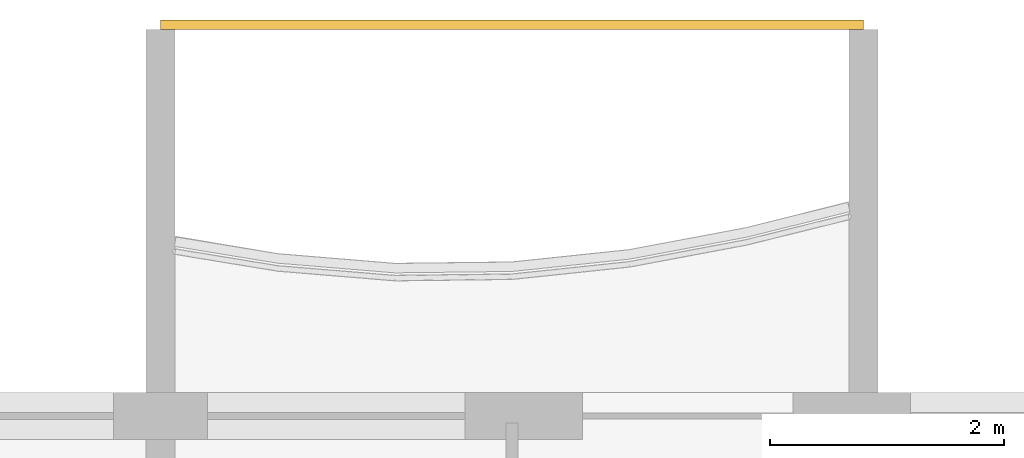
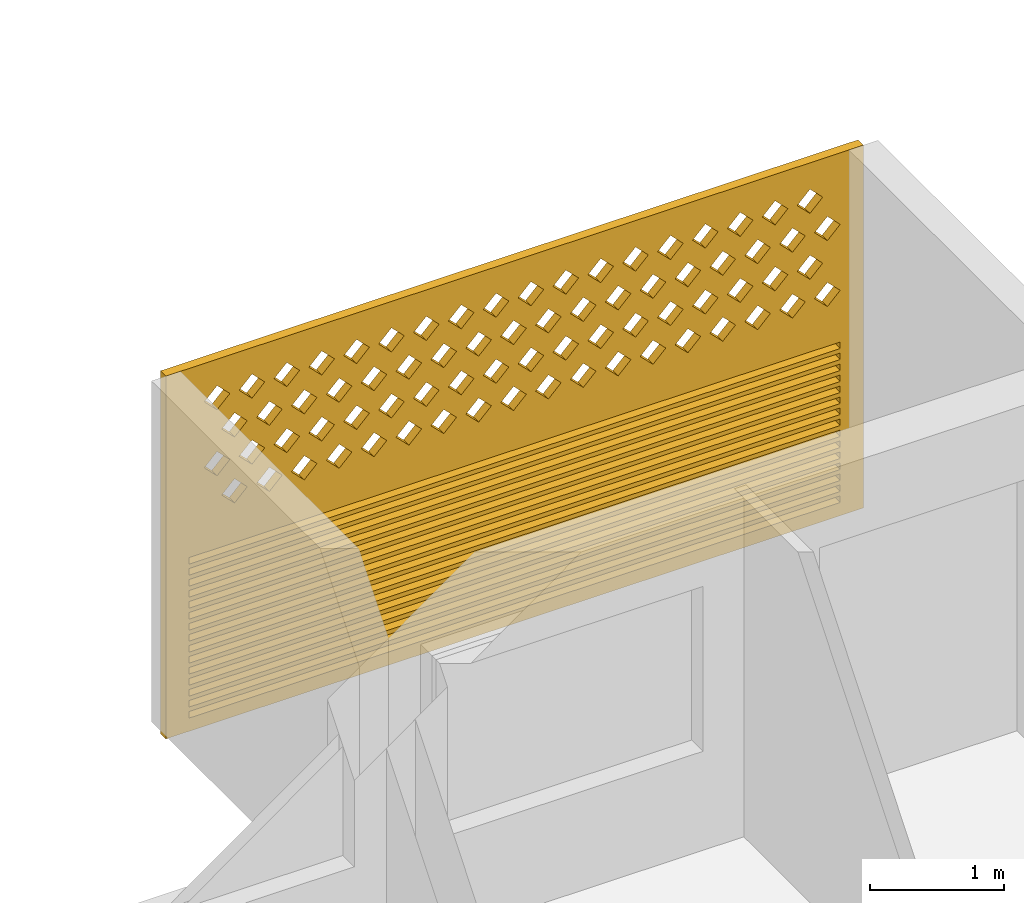
# One storey, part 20 of 26: 1 covering.
"""IFC4 building model written with IfcOpenShell, lengths in metres."""

from ifc_helpers import new_model, si_unit, direction, frame, origin, place, context, subcontext, project, spatial, polyline, outline, extrude, source, transform, mapped, material, material_profile, profile_set, type_object, element, save


model = new_model("IFC4")

# Units and contexts
model_context = context("Model", 3, precision=1e-05, world=origin(), true_north=direction((0.0, 1.0)))
body_context = subcontext(model_context, "Body", "Model", "MODEL_VIEW")
ifc_project = project(units=[si_unit("LENGTHUNIT", "METRE"), si_unit("AREAUNIT", "SQUARE_METRE"), si_unit("VOLUMEUNIT", "CUBIC_METRE"), si_unit("PLANEANGLEUNIT", "RADIAN"), si_unit("MASSUNIT", "GRAM", prefix="KILO")], contexts=[model_context])

# Site, building, storey
site_placement = place(None, origin())
site = spatial("IfcSite", under=ifc_project, at=site_placement, CompositionType="ELEMENT")
building_placement = place(site_placement, origin())
building = spatial("IfcBuilding", under=site, at=building_placement, Name="Poui Terraces", CompositionType="ELEMENT")
storey_placement = place(building_placement, frame((0.0, 0.0, 241.199951171875)))
storey = spatial("IfcBuildingStorey", under=building, at=storey_placement, Name="L67", CompositionType="ELEMENT", Elevation=241.199951171875)

# Covering
ifc_material = material(Name="Terracotta screen", Category="masonry")
ifc_material_profile = material_profile(ifc_material, outline(polyline([(-3.0, -1.64990234375), (3.0, -1.64990234375), (3.0, 1.64990234375), (-3.0, 1.64990234375), (-3.0, -1.64990234375)]), holes=[polyline([(-2.800048828125, 0.39990234375), (-2.68994140625, 0.2900390625), (-2.580078125, 0.39990234375), (-2.68994140625, 0.510009765625), (-2.800048828125, 0.39990234375)]), polyline([(-2.5, 0.39990234375), (-2.389892578125, 0.2900390625), (-2.280029296875, 0.39990234375), (-2.389892578125, 0.510009765625), (-2.5, 0.39990234375)]), polyline([(-2.199951171875, 0.39990234375), (-2.090087890625, 0.2900390625), (-1.97998046875, 0.39990234375), (-2.090087890625, 0.510009765625), (-2.199951171875, 0.39990234375)]), polyline([(-1.89990234375, 0.39990234375), (-1.7900390625, 0.2900390625), (-1.679931640625, 0.39990234375), (-1.7900390625, 0.510009765625), (-1.89990234375, 0.39990234375)]), polyline([(-1.60009765625, 0.39990234375), (-1.489990234375, 0.2900390625), (-1.3798828125, 0.39990234375), (-1.489990234375, 0.510009765625), (-1.60009765625, 0.39990234375)]), polyline([(-1.300048828125, 0.39990234375), (-1.18994140625, 0.2900390625), (-1.080078125, 0.39990234375), (-1.18994140625, 0.510009765625), (-1.300048828125, 0.39990234375)]), polyline([(-1.0, 0.39990234375), (-0.889892578125, 0.2900390625), (-0.780029296875, 0.39990234375), (-0.889892578125, 0.510009765625), (-1.0, 0.39990234375)]), polyline([(-0.699951171875, 0.39990234375), (-0.590087890625, 0.2900390625), (-0.47998046875, 0.39990234375), (-0.590087890625, 0.510009765625), (-0.699951171875, 0.39990234375)]), polyline([(-0.39990234375, 0.39990234375), (-0.2900390625, 0.2900390625), (-0.179931640625, 0.39990234375), (-0.2900390625, 0.510009765625), (-0.39990234375, 0.39990234375)]), polyline([(-0.10009765625, 0.39990234375), (0.010009765625, 0.2900390625), (0.1201171875, 0.39990234375), (0.010009765625, 0.510009765625), (-0.10009765625, 0.39990234375)]), polyline([(0.199951171875, 0.39990234375), (0.31005859375, 0.2900390625), (0.419921875, 0.39990234375), (0.31005859375, 0.510009765625), (0.199951171875, 0.39990234375)]), polyline([(0.5, 0.39990234375), (0.610107421875, 0.2900390625), (0.719970703125, 0.39990234375), (0.610107421875, 0.510009765625), (0.5, 0.39990234375)]), polyline([(0.800048828125, 0.39990234375), (0.909912109375, 0.2900390625), (1.02001953125, 0.39990234375), (0.909912109375, 0.510009765625), (0.800048828125, 0.39990234375)]), polyline([(1.10009765625, 0.39990234375), (1.2099609375, 0.2900390625), (1.320068359375, 0.39990234375), (1.2099609375, 0.510009765625), (1.10009765625, 0.39990234375)]), polyline([(1.39990234375, 0.39990234375), (1.510009765625, 0.2900390625), (1.6201171875, 0.39990234375), (1.510009765625, 0.510009765625), (1.39990234375, 0.39990234375)]), polyline([(1.699951171875, 0.39990234375), (1.81005859375, 0.2900390625), (1.919921875, 0.39990234375), (1.81005859375, 0.510009765625), (1.699951171875, 0.39990234375)]), polyline([(2.0, 0.39990234375), (2.110107421875, 0.2900390625), (2.219970703125, 0.39990234375), (2.110107421875, 0.510009765625), (2.0, 0.39990234375)]), polyline([(2.300048828125, 0.39990234375), (2.409912109375, 0.2900390625), (2.52001953125, 0.39990234375), (2.409912109375, 0.510009765625), (2.300048828125, 0.39990234375)]), polyline([(-2.64990234375, 0.699951171875), (-2.5400390625, 0.590087890625), (-2.429931640625, 0.699951171875), (-2.5400390625, 0.81005859375), (-2.64990234375, 0.699951171875)]), polyline([(-2.35009765625, 0.699951171875), (-2.239990234375, 0.590087890625), (-2.1298828125, 0.699951171875), (-2.239990234375, 0.81005859375), (-2.35009765625, 0.699951171875)]), polyline([(-2.050048828125, 0.699951171875), (-1.93994140625, 0.590087890625), (-1.830078125, 0.699951171875), (-1.93994140625, 0.81005859375), (-2.050048828125, 0.699951171875)]), polyline([(-1.75, 0.699951171875), (-1.639892578125, 0.590087890625), (-1.530029296875, 0.699951171875), (-1.639892578125, 0.81005859375), (-1.75, 0.699951171875)]), polyline([(-1.449951171875, 0.699951171875), (-1.340087890625, 0.590087890625), (-1.22998046875, 0.699951171875), (-1.340087890625, 0.81005859375), (-1.449951171875, 0.699951171875)]), polyline([(-1.14990234375, 0.699951171875), (-1.0400390625, 0.590087890625), (-0.929931640625, 0.699951171875), (-1.0400390625, 0.81005859375), (-1.14990234375, 0.699951171875)]), polyline([(-0.85009765625, 0.699951171875), (-0.739990234375, 0.590087890625), (-0.6298828125, 0.699951171875), (-0.739990234375, 0.81005859375), (-0.85009765625, 0.699951171875)]), polyline([(-0.550048828125, 0.699951171875), (-0.43994140625, 0.590087890625), (-0.330078125, 0.699951171875), (-0.43994140625, 0.81005859375), (-0.550048828125, 0.699951171875)]), polyline([(-0.25, 0.699951171875), (-0.139892578125, 0.590087890625), (-0.030029296875, 0.699951171875), (-0.139892578125, 0.81005859375), (-0.25, 0.699951171875)]), polyline([(0.050048828125, 0.699951171875), (0.159912109375, 0.590087890625), (0.27001953125, 0.699951171875), (0.159912109375, 0.81005859375), (0.050048828125, 0.699951171875)]), polyline([(0.35009765625, 0.699951171875), (0.4599609375, 0.590087890625), (0.570068359375, 0.699951171875), (0.4599609375, 0.81005859375), (0.35009765625, 0.699951171875)]), polyline([(0.64990234375, 0.699951171875), (0.760009765625, 0.590087890625), (0.8701171875, 0.699951171875), (0.760009765625, 0.81005859375), (0.64990234375, 0.699951171875)]), polyline([(0.949951171875, 0.699951171875), (1.06005859375, 0.590087890625), (1.169921875, 0.699951171875), (1.06005859375, 0.81005859375), (0.949951171875, 0.699951171875)]), polyline([(1.25, 0.699951171875), (1.360107421875, 0.590087890625), (1.469970703125, 0.699951171875), (1.360107421875, 0.81005859375), (1.25, 0.699951171875)]), polyline([(1.550048828125, 0.699951171875), (1.659912109375, 0.590087890625), (1.77001953125, 0.699951171875), (1.659912109375, 0.81005859375), (1.550048828125, 0.699951171875)]), polyline([(1.85009765625, 0.699951171875), (1.9599609375, 0.590087890625), (2.070068359375, 0.699951171875), (1.9599609375, 0.81005859375), (1.85009765625, 0.699951171875)]), polyline([(2.14990234375, 0.699951171875), (2.260009765625, 0.590087890625), (2.3701171875, 0.699951171875), (2.260009765625, 0.81005859375), (2.14990234375, 0.699951171875)]), polyline([(2.449951171875, 0.699951171875), (2.56005859375, 0.590087890625), (2.669921875, 0.699951171875), (2.56005859375, 0.81005859375), (2.449951171875, 0.699951171875)]), polyline([(-2.800048828125, 1.0), (-2.68994140625, 0.889892578125), (-2.580078125, 1.0), (-2.68994140625, 1.110107421875), (-2.800048828125, 1.0)]), polyline([(-2.5, 1.0), (-2.389892578125, 0.889892578125), (-2.280029296875, 1.0), (-2.389892578125, 1.110107421875), (-2.5, 1.0)]), polyline([(-2.199951171875, 1.0), (-2.090087890625, 0.889892578125), (-1.97998046875, 1.0), (-2.090087890625, 1.110107421875), (-2.199951171875, 1.0)]), polyline([(-1.89990234375, 1.0), (-1.7900390625, 0.889892578125), (-1.679931640625, 1.0), (-1.7900390625, 1.110107421875), (-1.89990234375, 1.0)]), polyline([(-1.60009765625, 1.0), (-1.489990234375, 0.889892578125), (-1.3798828125, 1.0), (-1.489990234375, 1.110107421875), (-1.60009765625, 1.0)]), polyline([(-1.300048828125, 1.0), (-1.18994140625, 0.889892578125), (-1.080078125, 1.0), (-1.18994140625, 1.110107421875), (-1.300048828125, 1.0)]), polyline([(-1.0, 1.0), (-0.889892578125, 0.889892578125), (-0.780029296875, 1.0), (-0.889892578125, 1.110107421875), (-1.0, 1.0)]), polyline([(-0.699951171875, 1.0), (-0.590087890625, 0.889892578125), (-0.47998046875, 1.0), (-0.590087890625, 1.110107421875), (-0.699951171875, 1.0)]), polyline([(-0.39990234375, 1.0), (-0.2900390625, 0.889892578125), (-0.179931640625, 1.0), (-0.2900390625, 1.110107421875), (-0.39990234375, 1.0)]), polyline([(-0.10009765625, 1.0), (0.010009765625, 0.889892578125), (0.1201171875, 1.0), (0.010009765625, 1.110107421875), (-0.10009765625, 1.0)]), polyline([(0.199951171875, 1.0), (0.31005859375, 0.889892578125), (0.419921875, 1.0), (0.31005859375, 1.110107421875), (0.199951171875, 1.0)]), polyline([(0.5, 1.0), (0.610107421875, 0.889892578125), (0.719970703125, 1.0), (0.610107421875, 1.110107421875), (0.5, 1.0)]), polyline([(0.800048828125, 1.0), (0.909912109375, 0.889892578125), (1.02001953125, 1.0), (0.909912109375, 1.110107421875), (0.800048828125, 1.0)]), polyline([(1.10009765625, 1.0), (1.2099609375, 0.889892578125), (1.320068359375, 1.0), (1.2099609375, 1.110107421875), (1.10009765625, 1.0)]), polyline([(1.39990234375, 1.0), (1.510009765625, 0.889892578125), (1.6201171875, 1.0), (1.510009765625, 1.110107421875), (1.39990234375, 1.0)]), polyline([(1.699951171875, 1.0), (1.81005859375, 0.889892578125), (1.919921875, 1.0), (1.81005859375, 1.110107421875), (1.699951171875, 1.0)]), polyline([(2.0, 1.0), (2.110107421875, 0.889892578125), (2.219970703125, 1.0), (2.110107421875, 1.110107421875), (2.0, 1.0)]), polyline([(2.300048828125, 1.0), (2.409912109375, 0.889892578125), (2.52001953125, 1.0), (2.409912109375, 1.110107421875), (2.300048828125, 1.0)]), polyline([(-2.64990234375, 1.300048828125), (-2.5400390625, 1.18994140625), (-2.429931640625, 1.300048828125), (-2.5400390625, 1.409912109375), (-2.64990234375, 1.300048828125)]), polyline([(-2.35009765625, 1.300048828125), (-2.239990234375, 1.18994140625), (-2.1298828125, 1.300048828125), (-2.239990234375, 1.409912109375), (-2.35009765625, 1.300048828125)]), polyline([(-2.050048828125, 1.300048828125), (-1.93994140625, 1.18994140625), (-1.830078125, 1.300048828125), (-1.93994140625, 1.409912109375), (-2.050048828125, 1.300048828125)]), polyline([(-1.75, 1.300048828125), (-1.639892578125, 1.18994140625), (-1.530029296875, 1.300048828125), (-1.639892578125, 1.409912109375), (-1.75, 1.300048828125)]), polyline([(-1.449951171875, 1.300048828125), (-1.340087890625, 1.18994140625), (-1.22998046875, 1.300048828125), (-1.340087890625, 1.409912109375), (-1.449951171875, 1.300048828125)]), polyline([(-1.14990234375, 1.300048828125), (-1.0400390625, 1.18994140625), (-0.929931640625, 1.300048828125), (-1.0400390625, 1.409912109375), (-1.14990234375, 1.300048828125)]), polyline([(-0.85009765625, 1.300048828125), (-0.739990234375, 1.18994140625), (-0.6298828125, 1.300048828125), (-0.739990234375, 1.409912109375), (-0.85009765625, 1.300048828125)]), polyline([(-0.550048828125, 1.300048828125), (-0.43994140625, 1.18994140625), (-0.330078125, 1.300048828125), (-0.43994140625, 1.409912109375), (-0.550048828125, 1.300048828125)]), polyline([(-0.25, 1.300048828125), (-0.139892578125, 1.18994140625), (-0.030029296875, 1.300048828125), (-0.139892578125, 1.409912109375), (-0.25, 1.300048828125)]), polyline([(0.050048828125, 1.300048828125), (0.159912109375, 1.18994140625), (0.27001953125, 1.300048828125), (0.159912109375, 1.409912109375), (0.050048828125, 1.300048828125)]), polyline([(0.35009765625, 1.300048828125), (0.4599609375, 1.18994140625), (0.570068359375, 1.300048828125), (0.4599609375, 1.409912109375), (0.35009765625, 1.300048828125)]), polyline([(0.64990234375, 1.300048828125), (0.760009765625, 1.18994140625), (0.8701171875, 1.300048828125), (0.760009765625, 1.409912109375), (0.64990234375, 1.300048828125)]), polyline([(0.949951171875, 1.300048828125), (1.06005859375, 1.18994140625), (1.169921875, 1.300048828125), (1.06005859375, 1.409912109375), (0.949951171875, 1.300048828125)]), polyline([(1.25, 1.300048828125), (1.360107421875, 1.18994140625), (1.469970703125, 1.300048828125), (1.360107421875, 1.409912109375), (1.25, 1.300048828125)]), polyline([(1.550048828125, 1.300048828125), (1.659912109375, 1.18994140625), (1.77001953125, 1.300048828125), (1.659912109375, 1.409912109375), (1.550048828125, 1.300048828125)]), polyline([(1.85009765625, 1.300048828125), (1.9599609375, 1.18994140625), (2.070068359375, 1.300048828125), (1.9599609375, 1.409912109375), (1.85009765625, 1.300048828125)]), polyline([(2.14990234375, 1.300048828125), (2.260009765625, 1.18994140625), (2.3701171875, 1.300048828125), (2.260009765625, 1.409912109375), (2.14990234375, 1.300048828125)]), polyline([(2.449951171875, 1.300048828125), (2.56005859375, 1.18994140625), (2.669921875, 1.300048828125), (2.56005859375, 1.409912109375), (2.449951171875, 1.300048828125)]), polyline([(-2.800048828125, -1.530029296875), (2.800048828125, -1.530029296875), (2.800048828125, -1.469970703125), (-2.800048828125, -1.469970703125), (-2.800048828125, -1.530029296875)]), polyline([(-2.800048828125, -1.429931640625), (2.800048828125, -1.429931640625), (2.800048828125, -1.3701171875), (-2.800048828125, -1.3701171875), (-2.800048828125, -1.429931640625)]), polyline([(-2.800048828125, -1.330078125), (2.800048828125, -1.330078125), (2.800048828125, -1.27001953125), (-2.800048828125, -1.27001953125), (-2.800048828125, -1.330078125)]), polyline([(-2.800048828125, -1.22998046875), (2.800048828125, -1.22998046875), (2.800048828125, -1.169921875), (-2.800048828125, -1.169921875), (-2.800048828125, -1.22998046875)]), polyline([(-2.800048828125, -1.1298828125), (2.800048828125, -1.1298828125), (2.800048828125, -1.070068359375), (-2.800048828125, -1.070068359375), (-2.800048828125, -1.1298828125)]), polyline([(-2.800048828125, -1.030029296875), (2.800048828125, -1.030029296875), (2.800048828125, -0.969970703125), (-2.800048828125, -0.969970703125), (-2.800048828125, -1.030029296875)]), polyline([(-2.800048828125, -0.929931640625), (2.800048828125, -0.929931640625), (2.800048828125, -0.8701171875), (-2.800048828125, -0.8701171875), (-2.800048828125, -0.929931640625)]), polyline([(-2.800048828125, -0.830078125), (2.800048828125, -0.830078125), (2.800048828125, -0.77001953125), (-2.800048828125, -0.77001953125), (-2.800048828125, -0.830078125)]), polyline([(-2.800048828125, -0.72998046875), (2.800048828125, -0.72998046875), (2.800048828125, -0.669921875), (-2.800048828125, -0.669921875), (-2.800048828125, -0.72998046875)]), polyline([(-2.800048828125, -0.6298828125), (2.800048828125, -0.6298828125), (2.800048828125, -0.570068359375), (-2.800048828125, -0.570068359375), (-2.800048828125, -0.6298828125)]), polyline([(-2.800048828125, -0.530029296875), (2.800048828125, -0.530029296875), (2.800048828125, -0.469970703125), (-2.800048828125, -0.469970703125), (-2.800048828125, -0.530029296875)]), polyline([(-2.800048828125, -0.429931640625), (2.800048828125, -0.429931640625), (2.800048828125, -0.3701171875), (-2.800048828125, -0.3701171875), (-2.800048828125, -0.429931640625)]), polyline([(-2.800048828125, -0.330078125), (2.800048828125, -0.330078125), (2.800048828125, -0.27001953125), (-2.800048828125, -0.27001953125), (-2.800048828125, -0.330078125)]), polyline([(-2.800048828125, -0.22998046875), (2.800048828125, -0.22998046875), (2.800048828125, -0.169921875), (-2.800048828125, -0.169921875), (-2.800048828125, -0.22998046875)]), polyline([(-2.800048828125, -0.1298828125), (2.800048828125, -0.1298828125), (2.800048828125, -0.070068359375), (-2.800048828125, -0.070068359375), (-2.800048828125, -0.1298828125)])]), Name="TERRACOTTA SCREEN AND JALOUSIE LOUVRE 6000X3300")
ifc_profile_set = profile_set([ifc_material_profile], Name="Terracotta screen")
covering_type = type_object("IfcCoveringType", Name="TERRACOTTA SCREEN AND JALOUSIE LOUVRE 6000X3300", PredefinedType="CLADDING", material=ifc_profile_set)
shared_shape = source(origin(), body_context, "Body", "SweptSolid", [
    extrude(outline(polyline([(-3.0, -1.64990234375), (3.0, -1.64990234375), (3.0, 1.64990234375), (-3.0, 1.64990234375), (-3.0, -1.64990234375)]), holes=[polyline([(-2.800048828125, 0.39990234375), (-2.68994140625, 0.2900390625), (-2.580078125, 0.39990234375), (-2.68994140625, 0.510009765625), (-2.800048828125, 0.39990234375)]), polyline([(-2.5, 0.39990234375), (-2.389892578125, 0.2900390625), (-2.280029296875, 0.39990234375), (-2.389892578125, 0.510009765625), (-2.5, 0.39990234375)]), polyline([(-2.199951171875, 0.39990234375), (-2.090087890625, 0.2900390625), (-1.97998046875, 0.39990234375), (-2.090087890625, 0.510009765625), (-2.199951171875, 0.39990234375)]), polyline([(-1.89990234375, 0.39990234375), (-1.7900390625, 0.2900390625), (-1.679931640625, 0.39990234375), (-1.7900390625, 0.510009765625), (-1.89990234375, 0.39990234375)]), polyline([(-1.60009765625, 0.39990234375), (-1.489990234375, 0.2900390625), (-1.3798828125, 0.39990234375), (-1.489990234375, 0.510009765625), (-1.60009765625, 0.39990234375)]), polyline([(-1.300048828125, 0.39990234375), (-1.18994140625, 0.2900390625), (-1.080078125, 0.39990234375), (-1.18994140625, 0.510009765625), (-1.300048828125, 0.39990234375)]), polyline([(-1.0, 0.39990234375), (-0.889892578125, 0.2900390625), (-0.780029296875, 0.39990234375), (-0.889892578125, 0.510009765625), (-1.0, 0.39990234375)]), polyline([(-0.699951171875, 0.39990234375), (-0.590087890625, 0.2900390625), (-0.47998046875, 0.39990234375), (-0.590087890625, 0.510009765625), (-0.699951171875, 0.39990234375)]), polyline([(-0.39990234375, 0.39990234375), (-0.2900390625, 0.2900390625), (-0.179931640625, 0.39990234375), (-0.2900390625, 0.510009765625), (-0.39990234375, 0.39990234375)]), polyline([(-0.10009765625, 0.39990234375), (0.010009765625, 0.2900390625), (0.1201171875, 0.39990234375), (0.010009765625, 0.510009765625), (-0.10009765625, 0.39990234375)]), polyline([(0.199951171875, 0.39990234375), (0.31005859375, 0.2900390625), (0.419921875, 0.39990234375), (0.31005859375, 0.510009765625), (0.199951171875, 0.39990234375)]), polyline([(0.5, 0.39990234375), (0.610107421875, 0.2900390625), (0.719970703125, 0.39990234375), (0.610107421875, 0.510009765625), (0.5, 0.39990234375)]), polyline([(0.800048828125, 0.39990234375), (0.909912109375, 0.2900390625), (1.02001953125, 0.39990234375), (0.909912109375, 0.510009765625), (0.800048828125, 0.39990234375)]), polyline([(1.10009765625, 0.39990234375), (1.2099609375, 0.2900390625), (1.320068359375, 0.39990234375), (1.2099609375, 0.510009765625), (1.10009765625, 0.39990234375)]), polyline([(1.39990234375, 0.39990234375), (1.510009765625, 0.2900390625), (1.6201171875, 0.39990234375), (1.510009765625, 0.510009765625), (1.39990234375, 0.39990234375)]), polyline([(1.699951171875, 0.39990234375), (1.81005859375, 0.2900390625), (1.919921875, 0.39990234375), (1.81005859375, 0.510009765625), (1.699951171875, 0.39990234375)]), polyline([(2.0, 0.39990234375), (2.110107421875, 0.2900390625), (2.219970703125, 0.39990234375), (2.110107421875, 0.510009765625), (2.0, 0.39990234375)]), polyline([(2.300048828125, 0.39990234375), (2.409912109375, 0.2900390625), (2.52001953125, 0.39990234375), (2.409912109375, 0.510009765625), (2.300048828125, 0.39990234375)]), polyline([(-2.64990234375, 0.699951171875), (-2.5400390625, 0.590087890625), (-2.429931640625, 0.699951171875), (-2.5400390625, 0.81005859375), (-2.64990234375, 0.699951171875)]), polyline([(-2.35009765625, 0.699951171875), (-2.239990234375, 0.590087890625), (-2.1298828125, 0.699951171875), (-2.239990234375, 0.81005859375), (-2.35009765625, 0.699951171875)]), polyline([(-2.050048828125, 0.699951171875), (-1.93994140625, 0.590087890625), (-1.830078125, 0.699951171875), (-1.93994140625, 0.81005859375), (-2.050048828125, 0.699951171875)]), polyline([(-1.75, 0.699951171875), (-1.639892578125, 0.590087890625), (-1.530029296875, 0.699951171875), (-1.639892578125, 0.81005859375), (-1.75, 0.699951171875)]), polyline([(-1.449951171875, 0.699951171875), (-1.340087890625, 0.590087890625), (-1.22998046875, 0.699951171875), (-1.340087890625, 0.81005859375), (-1.449951171875, 0.699951171875)]), polyline([(-1.14990234375, 0.699951171875), (-1.0400390625, 0.590087890625), (-0.929931640625, 0.699951171875), (-1.0400390625, 0.81005859375), (-1.14990234375, 0.699951171875)]), polyline([(-0.85009765625, 0.699951171875), (-0.739990234375, 0.590087890625), (-0.6298828125, 0.699951171875), (-0.739990234375, 0.81005859375), (-0.85009765625, 0.699951171875)]), polyline([(-0.550048828125, 0.699951171875), (-0.43994140625, 0.590087890625), (-0.330078125, 0.699951171875), (-0.43994140625, 0.81005859375), (-0.550048828125, 0.699951171875)]), polyline([(-0.25, 0.699951171875), (-0.139892578125, 0.590087890625), (-0.030029296875, 0.699951171875), (-0.139892578125, 0.81005859375), (-0.25, 0.699951171875)]), polyline([(0.050048828125, 0.699951171875), (0.159912109375, 0.590087890625), (0.27001953125, 0.699951171875), (0.159912109375, 0.81005859375), (0.050048828125, 0.699951171875)]), polyline([(0.35009765625, 0.699951171875), (0.4599609375, 0.590087890625), (0.570068359375, 0.699951171875), (0.4599609375, 0.81005859375), (0.35009765625, 0.699951171875)]), polyline([(0.64990234375, 0.699951171875), (0.760009765625, 0.590087890625), (0.8701171875, 0.699951171875), (0.760009765625, 0.81005859375), (0.64990234375, 0.699951171875)]), polyline([(0.949951171875, 0.699951171875), (1.06005859375, 0.590087890625), (1.169921875, 0.699951171875), (1.06005859375, 0.81005859375), (0.949951171875, 0.699951171875)]), polyline([(1.25, 0.699951171875), (1.360107421875, 0.590087890625), (1.469970703125, 0.699951171875), (1.360107421875, 0.81005859375), (1.25, 0.699951171875)]), polyline([(1.550048828125, 0.699951171875), (1.659912109375, 0.590087890625), (1.77001953125, 0.699951171875), (1.659912109375, 0.81005859375), (1.550048828125, 0.699951171875)]), polyline([(1.85009765625, 0.699951171875), (1.9599609375, 0.590087890625), (2.070068359375, 0.699951171875), (1.9599609375, 0.81005859375), (1.85009765625, 0.699951171875)]), polyline([(2.14990234375, 0.699951171875), (2.260009765625, 0.590087890625), (2.3701171875, 0.699951171875), (2.260009765625, 0.81005859375), (2.14990234375, 0.699951171875)]), polyline([(2.449951171875, 0.699951171875), (2.56005859375, 0.590087890625), (2.669921875, 0.699951171875), (2.56005859375, 0.81005859375), (2.449951171875, 0.699951171875)]), polyline([(-2.800048828125, 1.0), (-2.68994140625, 0.889892578125), (-2.580078125, 1.0), (-2.68994140625, 1.110107421875), (-2.800048828125, 1.0)]), polyline([(-2.5, 1.0), (-2.389892578125, 0.889892578125), (-2.280029296875, 1.0), (-2.389892578125, 1.110107421875), (-2.5, 1.0)]), polyline([(-2.199951171875, 1.0), (-2.090087890625, 0.889892578125), (-1.97998046875, 1.0), (-2.090087890625, 1.110107421875), (-2.199951171875, 1.0)]), polyline([(-1.89990234375, 1.0), (-1.7900390625, 0.889892578125), (-1.679931640625, 1.0), (-1.7900390625, 1.110107421875), (-1.89990234375, 1.0)]), polyline([(-1.60009765625, 1.0), (-1.489990234375, 0.889892578125), (-1.3798828125, 1.0), (-1.489990234375, 1.110107421875), (-1.60009765625, 1.0)]), polyline([(-1.300048828125, 1.0), (-1.18994140625, 0.889892578125), (-1.080078125, 1.0), (-1.18994140625, 1.110107421875), (-1.300048828125, 1.0)]), polyline([(-1.0, 1.0), (-0.889892578125, 0.889892578125), (-0.780029296875, 1.0), (-0.889892578125, 1.110107421875), (-1.0, 1.0)]), polyline([(-0.699951171875, 1.0), (-0.590087890625, 0.889892578125), (-0.47998046875, 1.0), (-0.590087890625, 1.110107421875), (-0.699951171875, 1.0)]), polyline([(-0.39990234375, 1.0), (-0.2900390625, 0.889892578125), (-0.179931640625, 1.0), (-0.2900390625, 1.110107421875), (-0.39990234375, 1.0)]), polyline([(-0.10009765625, 1.0), (0.010009765625, 0.889892578125), (0.1201171875, 1.0), (0.010009765625, 1.110107421875), (-0.10009765625, 1.0)]), polyline([(0.199951171875, 1.0), (0.31005859375, 0.889892578125), (0.419921875, 1.0), (0.31005859375, 1.110107421875), (0.199951171875, 1.0)]), polyline([(0.5, 1.0), (0.610107421875, 0.889892578125), (0.719970703125, 1.0), (0.610107421875, 1.110107421875), (0.5, 1.0)]), polyline([(0.800048828125, 1.0), (0.909912109375, 0.889892578125), (1.02001953125, 1.0), (0.909912109375, 1.110107421875), (0.800048828125, 1.0)]), polyline([(1.10009765625, 1.0), (1.2099609375, 0.889892578125), (1.320068359375, 1.0), (1.2099609375, 1.110107421875), (1.10009765625, 1.0)]), polyline([(1.39990234375, 1.0), (1.510009765625, 0.889892578125), (1.6201171875, 1.0), (1.510009765625, 1.110107421875), (1.39990234375, 1.0)]), polyline([(1.699951171875, 1.0), (1.81005859375, 0.889892578125), (1.919921875, 1.0), (1.81005859375, 1.110107421875), (1.699951171875, 1.0)]), polyline([(2.0, 1.0), (2.110107421875, 0.889892578125), (2.219970703125, 1.0), (2.110107421875, 1.110107421875), (2.0, 1.0)]), polyline([(2.300048828125, 1.0), (2.409912109375, 0.889892578125), (2.52001953125, 1.0), (2.409912109375, 1.110107421875), (2.300048828125, 1.0)]), polyline([(-2.64990234375, 1.300048828125), (-2.5400390625, 1.18994140625), (-2.429931640625, 1.300048828125), (-2.5400390625, 1.409912109375), (-2.64990234375, 1.300048828125)]), polyline([(-2.35009765625, 1.300048828125), (-2.239990234375, 1.18994140625), (-2.1298828125, 1.300048828125), (-2.239990234375, 1.409912109375), (-2.35009765625, 1.300048828125)]), polyline([(-2.050048828125, 1.300048828125), (-1.93994140625, 1.18994140625), (-1.830078125, 1.300048828125), (-1.93994140625, 1.409912109375), (-2.050048828125, 1.300048828125)]), polyline([(-1.75, 1.300048828125), (-1.639892578125, 1.18994140625), (-1.530029296875, 1.300048828125), (-1.639892578125, 1.409912109375), (-1.75, 1.300048828125)]), polyline([(-1.449951171875, 1.300048828125), (-1.340087890625, 1.18994140625), (-1.22998046875, 1.300048828125), (-1.340087890625, 1.409912109375), (-1.449951171875, 1.300048828125)]), polyline([(-1.14990234375, 1.300048828125), (-1.0400390625, 1.18994140625), (-0.929931640625, 1.300048828125), (-1.0400390625, 1.409912109375), (-1.14990234375, 1.300048828125)]), polyline([(-0.85009765625, 1.300048828125), (-0.739990234375, 1.18994140625), (-0.6298828125, 1.300048828125), (-0.739990234375, 1.409912109375), (-0.85009765625, 1.300048828125)]), polyline([(-0.550048828125, 1.300048828125), (-0.43994140625, 1.18994140625), (-0.330078125, 1.300048828125), (-0.43994140625, 1.409912109375), (-0.550048828125, 1.300048828125)]), polyline([(-0.25, 1.300048828125), (-0.139892578125, 1.18994140625), (-0.030029296875, 1.300048828125), (-0.139892578125, 1.409912109375), (-0.25, 1.300048828125)]), polyline([(0.050048828125, 1.300048828125), (0.159912109375, 1.18994140625), (0.27001953125, 1.300048828125), (0.159912109375, 1.409912109375), (0.050048828125, 1.300048828125)]), polyline([(0.35009765625, 1.300048828125), (0.4599609375, 1.18994140625), (0.570068359375, 1.300048828125), (0.4599609375, 1.409912109375), (0.35009765625, 1.300048828125)]), polyline([(0.64990234375, 1.300048828125), (0.760009765625, 1.18994140625), (0.8701171875, 1.300048828125), (0.760009765625, 1.409912109375), (0.64990234375, 1.300048828125)]), polyline([(0.949951171875, 1.300048828125), (1.06005859375, 1.18994140625), (1.169921875, 1.300048828125), (1.06005859375, 1.409912109375), (0.949951171875, 1.300048828125)]), polyline([(1.25, 1.300048828125), (1.360107421875, 1.18994140625), (1.469970703125, 1.300048828125), (1.360107421875, 1.409912109375), (1.25, 1.300048828125)]), polyline([(1.550048828125, 1.300048828125), (1.659912109375, 1.18994140625), (1.77001953125, 1.300048828125), (1.659912109375, 1.409912109375), (1.550048828125, 1.300048828125)]), polyline([(1.85009765625, 1.300048828125), (1.9599609375, 1.18994140625), (2.070068359375, 1.300048828125), (1.9599609375, 1.409912109375), (1.85009765625, 1.300048828125)]), polyline([(2.14990234375, 1.300048828125), (2.260009765625, 1.18994140625), (2.3701171875, 1.300048828125), (2.260009765625, 1.409912109375), (2.14990234375, 1.300048828125)]), polyline([(2.449951171875, 1.300048828125), (2.56005859375, 1.18994140625), (2.669921875, 1.300048828125), (2.56005859375, 1.409912109375), (2.449951171875, 1.300048828125)]), polyline([(-2.800048828125, -1.530029296875), (2.800048828125, -1.530029296875), (2.800048828125, -1.469970703125), (-2.800048828125, -1.469970703125), (-2.800048828125, -1.530029296875)]), polyline([(-2.800048828125, -1.429931640625), (2.800048828125, -1.429931640625), (2.800048828125, -1.3701171875), (-2.800048828125, -1.3701171875), (-2.800048828125, -1.429931640625)]), polyline([(-2.800048828125, -1.330078125), (2.800048828125, -1.330078125), (2.800048828125, -1.27001953125), (-2.800048828125, -1.27001953125), (-2.800048828125, -1.330078125)]), polyline([(-2.800048828125, -1.22998046875), (2.800048828125, -1.22998046875), (2.800048828125, -1.169921875), (-2.800048828125, -1.169921875), (-2.800048828125, -1.22998046875)]), polyline([(-2.800048828125, -1.1298828125), (2.800048828125, -1.1298828125), (2.800048828125, -1.070068359375), (-2.800048828125, -1.070068359375), (-2.800048828125, -1.1298828125)]), polyline([(-2.800048828125, -1.030029296875), (2.800048828125, -1.030029296875), (2.800048828125, -0.969970703125), (-2.800048828125, -0.969970703125), (-2.800048828125, -1.030029296875)]), polyline([(-2.800048828125, -0.929931640625), (2.800048828125, -0.929931640625), (2.800048828125, -0.8701171875), (-2.800048828125, -0.8701171875), (-2.800048828125, -0.929931640625)]), polyline([(-2.800048828125, -0.830078125), (2.800048828125, -0.830078125), (2.800048828125, -0.77001953125), (-2.800048828125, -0.77001953125), (-2.800048828125, -0.830078125)]), polyline([(-2.800048828125, -0.72998046875), (2.800048828125, -0.72998046875), (2.800048828125, -0.669921875), (-2.800048828125, -0.669921875), (-2.800048828125, -0.72998046875)]), polyline([(-2.800048828125, -0.6298828125), (2.800048828125, -0.6298828125), (2.800048828125, -0.570068359375), (-2.800048828125, -0.570068359375), (-2.800048828125, -0.6298828125)]), polyline([(-2.800048828125, -0.530029296875), (2.800048828125, -0.530029296875), (2.800048828125, -0.469970703125), (-2.800048828125, -0.469970703125), (-2.800048828125, -0.530029296875)]), polyline([(-2.800048828125, -0.429931640625), (2.800048828125, -0.429931640625), (2.800048828125, -0.3701171875), (-2.800048828125, -0.3701171875), (-2.800048828125, -0.429931640625)]), polyline([(-2.800048828125, -0.330078125), (2.800048828125, -0.330078125), (2.800048828125, -0.27001953125), (-2.800048828125, -0.27001953125), (-2.800048828125, -0.330078125)]), polyline([(-2.800048828125, -0.22998046875), (2.800048828125, -0.22998046875), (2.800048828125, -0.169921875), (-2.800048828125, -0.169921875), (-2.800048828125, -0.22998046875)]), polyline([(-2.800048828125, -0.1298828125), (2.800048828125, -0.1298828125), (2.800048828125, -0.070068359375), (-2.800048828125, -0.070068359375), (-2.800048828125, -0.1298828125)])]), origin(), (0.0, 0.0, 1.0), 0.080078125),
])
covering_placement = place(storey_placement, frame((51.0, 44.5, 1.449951171875), z_axis=(0.0, 1.0, 0.0), x_axis=(-1.0, 0.0, 0.0)))
element("IfcCovering", 1, at=covering_placement, inside=storey, type_object=covering_type, Name="SOLAR SCREEN AND JALOUSIE LOUVRE", PredefinedType="CLADDING", context=body_context, shape_type="MappedRepresentation", body=[
    mapped(shared_shape, transform((0.0, 0.0, 0.0))),
])

save(model, "model.ifc")
